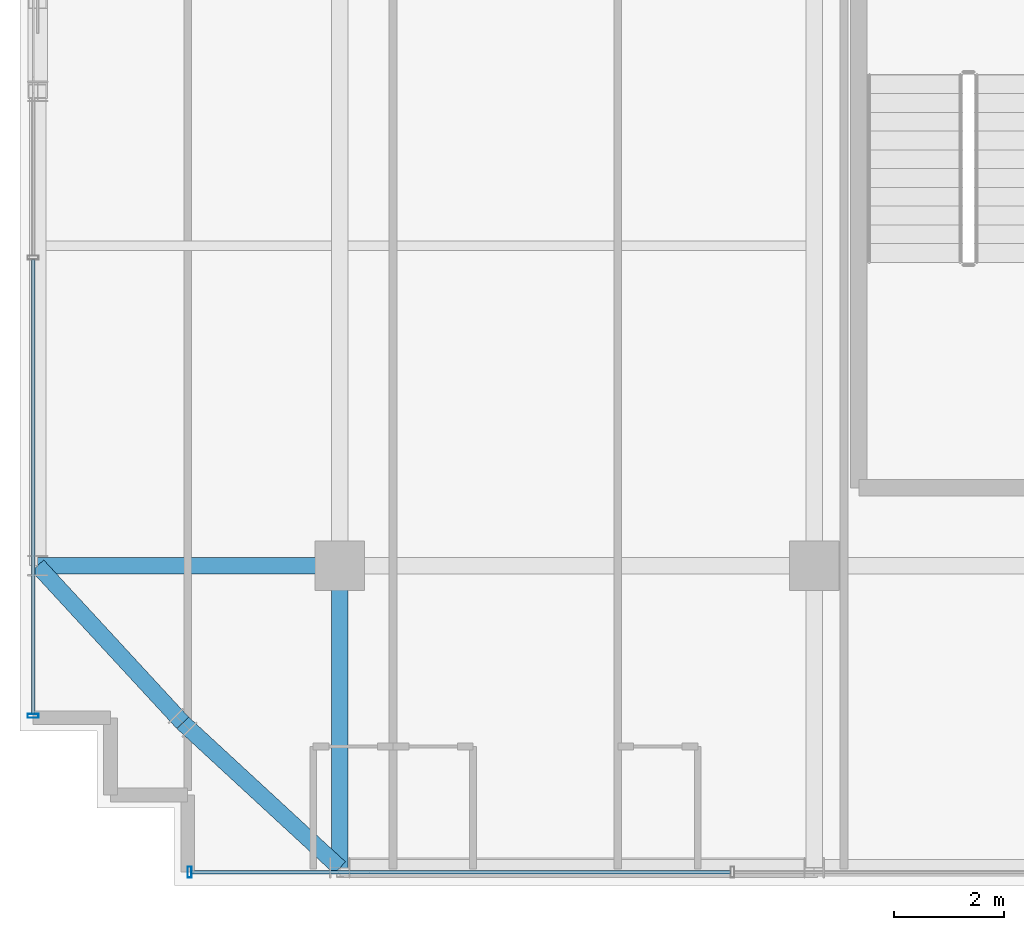
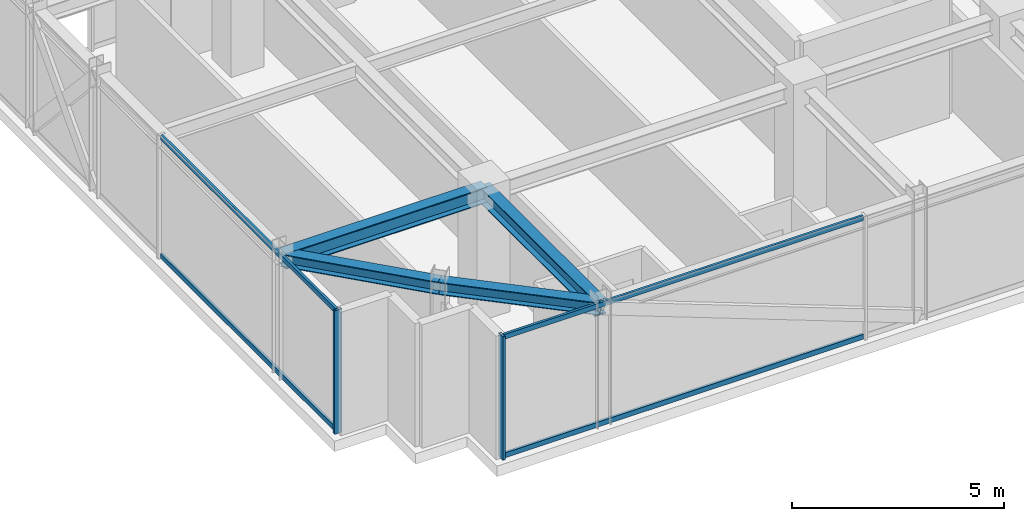
# One storey, part 4 of 39: 6 members, 4 beams, 2 elements without a shape of their own.
"""IFC4 building model written with IfcOpenShell, lengths in metres."""

import ifcopenshell
import ifcopenshell.guid

model = None  # the IFC model being written
_history = None  # IfcOwnerHistory: only IFC2X3 demands one
_inside = {}  # id of a spatial element -> (the spatial element, [elements in it])
_under = {}  # id of a project, library or spatial element -> (it, [spatial elements below it])
_declared = {}  # id of a project -> (the project, [libraries it declares])
_typed = {}  # id of a type object -> (the type object, [elements of that type])
_made_of = {}  # id of a material, layer set ... -> (it, [elements and type objects made of it])


def new_model(schema):
    """Start an empty IFC model of exactly this schema.

    Asked for "IFC4X3", IfcOpenShell would pick the latest addendum, in which some entities
    have other attributes; the version numbers below select the first issue.
    IFC2X3 requires an IfcOwnerHistory on every rooted entity: one is made here for all.
    """
    global model, _history
    if schema == "IFC4X3":
        model = ifcopenshell.file(schema_version=(4, 3, 0, 0))
    else:
        model = ifcopenshell.file(schema=schema)
    _inside.clear()
    _under.clear()
    _declared.clear()
    _typed.clear()
    _made_of.clear()
    _history = None
    if model.schema == "IFC2X3":
        org = make("IfcOrganization", Name="unknown")
        user = make(
            "IfcPersonAndOrganization",
            ThePerson=make("IfcPerson", FamilyName="unknown"),
            TheOrganization=org,
        )
        app = make(
            "IfcApplication",
            ApplicationDeveloper=org,
            Version="unknown",
            ApplicationFullName="unknown",
            ApplicationIdentifier="unknown",
        )
        _history = make(
            "IfcOwnerHistory",
            OwningUser=user,
            OwningApplication=app,
            ChangeAction="ADDED",
            CreationDate=0,
        )
    return model


def make(cls, **values):
    """One entity of the class cls with the attributes given. An attribute that is None is left unset."""
    return model.create_entity(
        cls, **{name: value for name, value in values.items() if value is not None}
    )


def rooted(cls, **values):
    """An entity with a GlobalId (a new one), such as an element, a storey or a relation."""
    return make(cls, GlobalId=ifcopenshell.guid.new(), OwnerHistory=_history, **values)


def si_unit(unit_type, name, prefix=None):
    """IfcSIUnit, for example si_unit("LENGTHUNIT", "METRE", prefix="MILLI")."""
    return make("IfcSIUnit", UnitType=unit_type, Prefix=prefix, Name=name)


def assignment(units):
    """IfcUnitAssignment: the units of a project."""
    return None if units is None else make("IfcUnitAssignment", Units=units)


def point(xyz):
    """IfcCartesianPoint."""
    return None if xyz is None else make("IfcCartesianPoint", Coordinates=xyz)


def direction(xyz):
    """IfcDirection."""
    return None if xyz is None else make("IfcDirection", DirectionRatios=xyz)


def frame(location, z_axis=None, x_axis=None):
    """IfcAxis2Placement3D, a coordinate frame: its origin and axes. An axis left out is left unset."""
    return make(
        "IfcAxis2Placement3D",
        Location=point(location),
        Axis=direction(z_axis),
        RefDirection=direction(x_axis),
    )


def frame_2d(location, x_axis=None):
    """IfcAxis2Placement2D, a coordinate frame in the plane: its origin and x axis."""
    return make(
        "IfcAxis2Placement2D", Location=point(location), RefDirection=direction(x_axis)
    )


def origin():
    """The frame at (0, 0, 0) with its axes left unset."""
    return frame((0.0, 0.0, 0.0))


def origin_2d():
    """The frame at (0, 0) in the plane with its x axis left unset."""
    return frame_2d((0.0, 0.0))


def place(relative_to, where):
    """IfcLocalPlacement: puts the frame where relative to a parent placement (None: the world)."""
    return make(
        "IfcLocalPlacement", PlacementRelTo=relative_to, RelativePlacement=where
    )


def context(
    kind, dimensions, precision=None, world=None, true_north=None, identifier=None
):
    """IfcGeometricRepresentationContext, for example the 3D "Model" context."""
    return make(
        "IfcGeometricRepresentationContext",
        ContextIdentifier=identifier,
        ContextType=kind,
        CoordinateSpaceDimension=dimensions,
        Precision=precision,
        WorldCoordinateSystem=world,
        TrueNorth=true_north,
    )


def subcontext(parent, identifier, kind, view, scale=None):
    """IfcGeometricRepresentationSubContext, for example "Body" below "Model"."""
    return make(
        "IfcGeometricRepresentationSubContext",
        ContextIdentifier=identifier,
        ContextType=kind,
        ParentContext=parent,
        TargetScale=scale,
        TargetView=view,
    )


def project(units=None, contexts=None):
    """IfcProject with its units and contexts."""
    return rooted(
        "IfcProject",
        Name="project",
        RepresentationContexts=contexts,
        UnitsInContext=assignment(units),
    )


def spatial(cls, under=None, at=None, **own):
    """A site, building, storey or space (cls), placed at a placement, below another one or the project."""
    s = rooted(cls, ObjectPlacement=at, **own)
    if under is not None:
        _under.setdefault(under.id(), (under, []))[1].append(s)
    return s


def profile(cls, at=None, kind="AREA", **sizes):
    """A parametric profile (cls). Its sizes go by their IFC names, for example OverallWidth=200.0."""
    return make(cls, ProfileType=kind, Position=at, **sizes)


def hollow_rectangle(**sizes):
    """IfcRectangleHollowProfileDef."""
    return profile("IfcRectangleHollowProfileDef", **sizes)


def i_section(**sizes):
    """IfcIShapeProfileDef."""
    return profile("IfcIShapeProfileDef", **sizes)


def extrude(swept, where, along, depth):
    """IfcExtrudedAreaSolid: the profile swept, set in the frame where, extruded along a direction by depth."""
    return make(
        "IfcExtrudedAreaSolid",
        SweptArea=swept,
        Position=where,
        ExtrudedDirection=direction(along),
        Depth=depth,
    )


def shape(context_of_items, identifier, shape_type, items):
    """IfcShapeRepresentation: the items that make up one representation, for example the "Body"."""
    return make(
        "IfcShapeRepresentation",
        ContextOfItems=context_of_items,
        RepresentationIdentifier=identifier,
        RepresentationType=shape_type,
        Items=items,
    )


def source(mapping_origin, context_of_items, identifier, shape_type, items):
    """IfcRepresentationMap: a shape defined once, which mapped items show again and again."""
    return make(
        "IfcRepresentationMap",
        MappingOrigin=mapping_origin,
        MappedRepresentation=shape(context_of_items, identifier, shape_type, items),
    )


def transform(
    local_origin,
    x_axis=None,
    y_axis=None,
    z_axis=None,
    scale=None,
    scale2=None,
    scale3=None,
    uniform=True,
):
    """IfcCartesianTransformationOperator3D, or its non-uniform kind. x_axis, y_axis, z_axis: its Axis1, 2, 3."""
    if uniform:
        return make(
            "IfcCartesianTransformationOperator3D",
            Axis1=direction(x_axis),
            Axis2=direction(y_axis),
            LocalOrigin=point(local_origin),
            Scale=scale,
            Axis3=direction(z_axis),
        )
    return make(
        "IfcCartesianTransformationOperator3DnonUniform",
        Axis1=direction(x_axis),
        Axis2=direction(y_axis),
        LocalOrigin=point(local_origin),
        Scale=scale,
        Axis3=direction(z_axis),
        Scale2=scale2,
        Scale3=scale3,
    )


def mapped(mapping_source, mapping_target):
    """IfcMappedItem: shows the shape of a source again, moved by a transform."""
    return make(
        "IfcMappedItem", MappingSource=mapping_source, MappingTarget=mapping_target
    )


def material(Name=None, Category=None):
    """IfcMaterial."""
    return make("IfcMaterial", Name=Name, Category=Category)


def material_profile(
    of_material, cross_section, Name=None, Category=None, Priority=None
):
    """IfcMaterialProfile: a cross section and its material."""
    return make(
        "IfcMaterialProfile",
        Name=Name,
        Material=of_material,
        Profile=cross_section,
        Priority=Priority,
        Category=Category,
    )


def profile_set(profiles, Name=None, composite=None):
    """IfcMaterialProfileSet."""
    return make(
        "IfcMaterialProfileSet",
        Name=Name,
        MaterialProfiles=profiles,
        CompositeProfile=composite,
    )


def made_of(thing, what):
    """Note that an element or type object is made of a material, layer set ...; save() writes the relation."""
    if what is not None:
        _made_of.setdefault(what.id(), (what, []))[1].append(thing)
    return thing


def type_object(cls, material=None, **own):
    """A type object (cls), such as IfcWallType, which elements share."""
    return made_of(rooted(cls, **own), material)


def element(
    cls,
    number,
    at=None,
    inside=None,
    cuts=None,
    type_object=None,
    material=None,
    context=None,
    identifier="Body",
    shape_type=None,
    held_by="IfcProductDefinitionShape",
    body=None,
    shapes=None,
    **own,
):
    """One element of the class cls, such as IfcWall. Its Tag is "e" and its number.

    at: its placement. inside: the storey or other place that contains it. cuts: it is an
    opening in that element (IfcRelVoidsElement). A single representation is given by context,
    identifier, shape_type and body (its items); several are given by shapes. held_by: the class
    of the entity that holds the representations. save() writes the other relations.
    """
    e = rooted(cls, Tag="e%d" % number, ObjectPlacement=at, **own)
    if body is not None:
        shapes = [shape(context, identifier, shape_type, body)]
    if shapes is not None:
        e.Representation = make(held_by, Representations=shapes)
    if inside is not None:
        _inside.setdefault(inside.id(), (inside, []))[1].append(e)
    if cuts is not None:
        rooted(
            "IfcRelVoidsElement", RelatingBuildingElement=cuts, RelatedOpeningElement=e
        )
    if type_object is not None:
        _typed.setdefault(type_object.id(), (type_object, []))[1].append(e)
    return made_of(e, material)


def aggregate(whole, parts):
    """IfcRelAggregates: a whole, such as a stair, and the parts it consists of."""
    return rooted("IfcRelAggregates", RelatingObject=whole, RelatedObjects=parts)


def save(model, path):
    """Write the relations noted so far, then the file.

    IfcRelAggregates (storeys below a building ...), IfcRelContainedInSpatialStructure (elements
    in a storey), IfcRelDefinesByType, IfcRelAssociatesMaterial and IfcRelDeclares: one each for
    every whole, place, type object, material and project.
    """
    for whole, parts in _under.values():
        aggregate(whole, parts)
    for where, things in _inside.values():
        rooted(
            "IfcRelContainedInSpatialStructure",
            RelatedElements=things,
            RelatingStructure=where,
        )
    for kind, things in _typed.values():
        rooted("IfcRelDefinesByType", RelatedObjects=things, RelatingType=kind)
    for what, things in _made_of.values():
        rooted("IfcRelAssociatesMaterial", RelatedObjects=things, RelatingMaterial=what)
    for by, libraries in _declared.values():
        rooted("IfcRelDeclares", RelatingContext=by, RelatedDefinitions=libraries)
    model.write(path)


model = new_model("IFC4")

# Units and contexts
model_context = context("Model", 3, precision=1e-05, world=origin(), true_north=direction((0.0, 1.0)))
body_context = subcontext(model_context, "Body", "Model", "MODEL_VIEW")
ifc_project = project(units=[si_unit("LENGTHUNIT", "METRE"), si_unit("AREAUNIT", "SQUARE_METRE"), si_unit("VOLUMEUNIT", "CUBIC_METRE"), si_unit("PLANEANGLEUNIT", "RADIAN"), si_unit("MASSUNIT", "GRAM", prefix="KILO")], contexts=[model_context])

# Site, building, storey
site_placement = place(None, origin())
site = spatial("IfcSite", under=ifc_project, at=site_placement, CompositionType="ELEMENT")
building_placement = place(site_placement, origin())
building = spatial("IfcBuilding", under=site, at=building_placement, Name="Nahalor Promenade Grand Hotel", CompositionType="ELEMENT")
storey_placement = place(building_placement, frame((0.0, 0.0, 311.89990234375)))
storey = spatial("IfcBuildingStorey", under=building, at=storey_placement, Name="L80", CompositionType="ELEMENT", Elevation=311.89990234375)

# Beams
ifc_material_1 = material(Name="Steel S355JR", Category="steel")
ifc_material_profile_1 = material_profile(ifc_material_1, i_section(OverallWidth=0.3, OverallDepth=0.45, WebThickness=0.014, FlangeThickness=0.026, at=origin_2d()), Name="HEB 450")
ifc_profile_set_1 = profile_set([ifc_material_profile_1], Name="Steel S355JR")
beam_type_1 = type_object("IfcBeamType", Name="Beam-Girder-HEB450", PredefinedType="BEAM", material=ifc_profile_set_1)
shared_shape_1 = source(origin(), body_context, "Body", "SweptSolid", [
    extrude(i_section(OverallWidth=0.3, OverallDepth=0.45, WebThickness=0.014, FlangeThickness=0.026, at=origin_2d()), origin(), (0.0, 0.0, 1.0), 5.47998046875),
])
for number, where, z_axis, x_axis, name in (
    (1, (-22.47998046875, -17.0, 3.3251953125), (1.0, 0.0, 0.0), (0.0, 1.0, 0.0), "BM-L80-GX-0-0"),
    (2, (-17.0, -22.47998046875, 3.3251953125), (0.0, 1.0, 0.0), (-1.0, 0.0, 0.0), "BM-L80-GY-0-0"),
):
    element("IfcBeam", number, at=place(storey_placement, frame(where, z_axis=z_axis, x_axis=x_axis)), inside=storey, type_object=beam_type_1, Name=name, PredefinedType="BEAM", context=body_context, shape_type="MappedRepresentation", body=[
        mapped(shared_shape_1, transform((0.0, 0.0, 0.0), scale=1.0)),
    ])
ifc_material_profile_2 = material_profile(ifc_material_1, i_section(OverallWidth=0.3, OverallDepth=0.36, WebThickness=0.0125, FlangeThickness=0.0225, at=origin_2d()), Name="HEB 360")
ifc_profile_set_2 = profile_set([ifc_material_profile_2], Name="Steel S355JR")
beam_type_2 = type_object("IfcBeamType", Name="Beam-Spandrel-HEB360", PredefinedType="SPANDREL", material=ifc_profile_set_2)
shared_shape_2 = source(origin(), body_context, "Body", "SweptSolid", [
    extrude(i_section(OverallWidth=0.3, OverallDepth=0.36, WebThickness=0.0125, FlangeThickness=0.0225, at=origin_2d()), origin(), (0.0, 0.0, 1.0), 3.878173828125),
])
for number, where, z_axis, x_axis, name in (
    (3, (-17.0, -22.47998046875, 3.3701171875), (-0.73492893846, 0.678144125843, 0.0), (-0.678144125843, -0.73492893846, 0.0), "BM-L80-SPC-SW-1"),
    (4, (-19.85009765625, -19.85009765625, 3.3701171875), (-0.678144125843, 0.73492893846, 0.0), (-0.73492893846, -0.678144125843, 0.0), "BM-L80-SPC-SW-2"),
):
    element("IfcBeam", number, at=place(storey_placement, frame(where, z_axis=z_axis, x_axis=x_axis)), inside=storey, type_object=beam_type_2, Name=name, PredefinedType="SPANDREL", context=body_context, shape_type="MappedRepresentation", body=[
        mapped(shared_shape_2, transform((0.0, 0.0, 0.0), scale=1.0)),
    ])

# Curtain wall, members
ifc_material_2 = material(Name="Anodised Bronze Aluminium EN AW-6063 T6", Category="aluminium")
curtain_wall_type = type_object("IfcCurtainWallType", Name="CW3 Elliptical-Void Collar Unitised Curtain Wall", PredefinedType="USERDEFINED", material=ifc_material_2)
curtain_wall_1_placement = place(storey_placement, origin())
curtain_wall_1 = element("IfcCurtainWall", 5, at=curtain_wall_1_placement, inside=storey, type_object=curtain_wall_type, Name="L80 Curtain Wall CW-L80-S-1", ObjectType="UNITISED_CURTAIN_WALL", PredefinedType="USERDEFINED")
ifc_material_profile_3 = material_profile(ifc_material_2, hollow_rectangle(XDim=0.07, YDim=0.14, WallThickness=0.004, at=origin_2d()), Name="CWT 70x140x4")
ifc_profile_set_3 = profile_set([ifc_material_profile_3], Name="Anodised Bronze Aluminium EN AW-6063 T6")
member_type_1 = type_object("IfcMemberType", Name="CWT3 Void Collar Transom 70x140", PredefinedType="USERDEFINED", material=ifc_profile_set_3)
shared_shape_3 = source(origin(), body_context, "Body", "SweptSolid", [
    extrude(hollow_rectangle(XDim=0.07, YDim=0.14, WallThickness=0.004, at=origin_2d()), origin(), (0.0, 0.0, 1.0), 9.77490234375),
])
member_1_placement = place(storey_placement, frame((-19.68994140625, -22.56005859375, 0.070068359375), z_axis=(1.0, 0.0, 0.0), x_axis=(0.0, 1.0, 0.0)))
member_1 = element("IfcMember", 6, at=member_1_placement, type_object=member_type_1, Name="CW-L80-S-1 Transom 0-0", ObjectType="TRANSOM", PredefinedType="USERDEFINED", context=body_context, shape_type="MappedRepresentation", body=[
    mapped(shared_shape_3, transform((0.0, 0.0, 0.0), scale=1.0)),
])
member_2_placement = place(storey_placement, frame((-19.68994140625, -22.56005859375, 3.47998046875), z_axis=(1.0, 0.0, 0.0), x_axis=(0.0, 1.0, 0.0)))
member_2 = element("IfcMember", 7, at=member_2_placement, type_object=member_type_1, Name="CW-L80-S-1 Transom 0-1", ObjectType="TRANSOM", PredefinedType="USERDEFINED", context=body_context, shape_type="MappedRepresentation", body=[
    mapped(shared_shape_3, transform((0.0, 0.0, 0.0), scale=1.0)),
])
ifc_material_profile_4 = material_profile(ifc_material_2, hollow_rectangle(XDim=0.07, YDim=0.2, WallThickness=0.005, at=origin_2d()), Name="CWM 70x200x5")
ifc_profile_set_4 = profile_set([ifc_material_profile_4], Name="Anodised Bronze Aluminium EN AW-6063 T6")
member_type_2 = type_object("IfcMemberType", Name="CWM3 Void Collar Mullion 70x200", PredefinedType="MULLION", material=ifc_profile_set_4)
shared_shape_4 = source(origin(), body_context, "Body", "SweptSolid", [
    extrude(hollow_rectangle(XDim=0.07, YDim=0.2, WallThickness=0.005, at=origin_2d()), origin(), (0.0, 0.0, 1.0), 3.550048828125),
])
member_3_placement = place(storey_placement, frame((-19.72509765625, -22.56005859375, 0.0), z_axis=(0.0, 0.0, 1.0), x_axis=(1.0, 0.0, 0.0)))
member_3 = element("IfcMember", 8, at=member_3_placement, type_object=member_type_2, Name="CW-L80-S-1 Mullion 0", PredefinedType="MULLION", context=body_context, shape_type="MappedRepresentation", body=[
    mapped(shared_shape_4, transform((0.0, 0.0, 0.0), scale=1.0)),
])
aggregate(curtain_wall_1, [member_3, member_1, member_2])

curtain_wall_2_placement = place(storey_placement, origin())
curtain_wall_2 = element("IfcCurtainWall", 9, at=curtain_wall_2_placement, inside=storey, type_object=curtain_wall_type, Name="L80 Curtain Wall CW-L80-W-1", ObjectType="UNITISED_CURTAIN_WALL", PredefinedType="USERDEFINED")
member_4_placement = place(storey_placement, frame((-22.56005859375, -19.72509765625, 0.0), z_axis=(0.0, 0.0, 1.0), x_axis=(0.0, 1.0, 0.0)))
member_4 = element("IfcMember", 10, at=member_4_placement, type_object=member_type_2, Name="CW-L80-W-1 Mullion 0", PredefinedType="MULLION", context=body_context, shape_type="MappedRepresentation", body=[
    mapped(shared_shape_4, transform((0.0, 0.0, 0.0), scale=1.0)),
])
shared_shape_5 = source(origin(), body_context, "Body", "SweptSolid", [
    extrude(hollow_rectangle(XDim=0.07, YDim=0.14, WallThickness=0.004, at=origin_2d()), origin(), (0.0, 0.0, 1.0), 8.239501953125),
])
member_5_placement = place(storey_placement, frame((-22.56005859375, -19.68994140625, 0.070068359375), z_axis=(0.0, 1.0, 0.0), x_axis=(-1.0, 0.0, 0.0)))
member_5 = element("IfcMember", 11, at=member_5_placement, type_object=member_type_1, Name="CW-L80-W-1 Transom 0-0", ObjectType="TRANSOM", PredefinedType="USERDEFINED", context=body_context, shape_type="MappedRepresentation", body=[
    mapped(shared_shape_5, transform((0.0, 0.0, 0.0), scale=1.0)),
])
member_6_placement = place(storey_placement, frame((-22.56005859375, -19.68994140625, 3.47998046875), z_axis=(0.0, 1.0, 0.0), x_axis=(-1.0, 0.0, 0.0)))
member_6 = element("IfcMember", 12, at=member_6_placement, type_object=member_type_1, Name="CW-L80-W-1 Transom 0-1", ObjectType="TRANSOM", PredefinedType="USERDEFINED", context=body_context, shape_type="MappedRepresentation", body=[
    mapped(shared_shape_5, transform((0.0, 0.0, 0.0), scale=1.0)),
])
aggregate(curtain_wall_2, [member_4, member_5, member_6])

save(model, "model.ifc")
